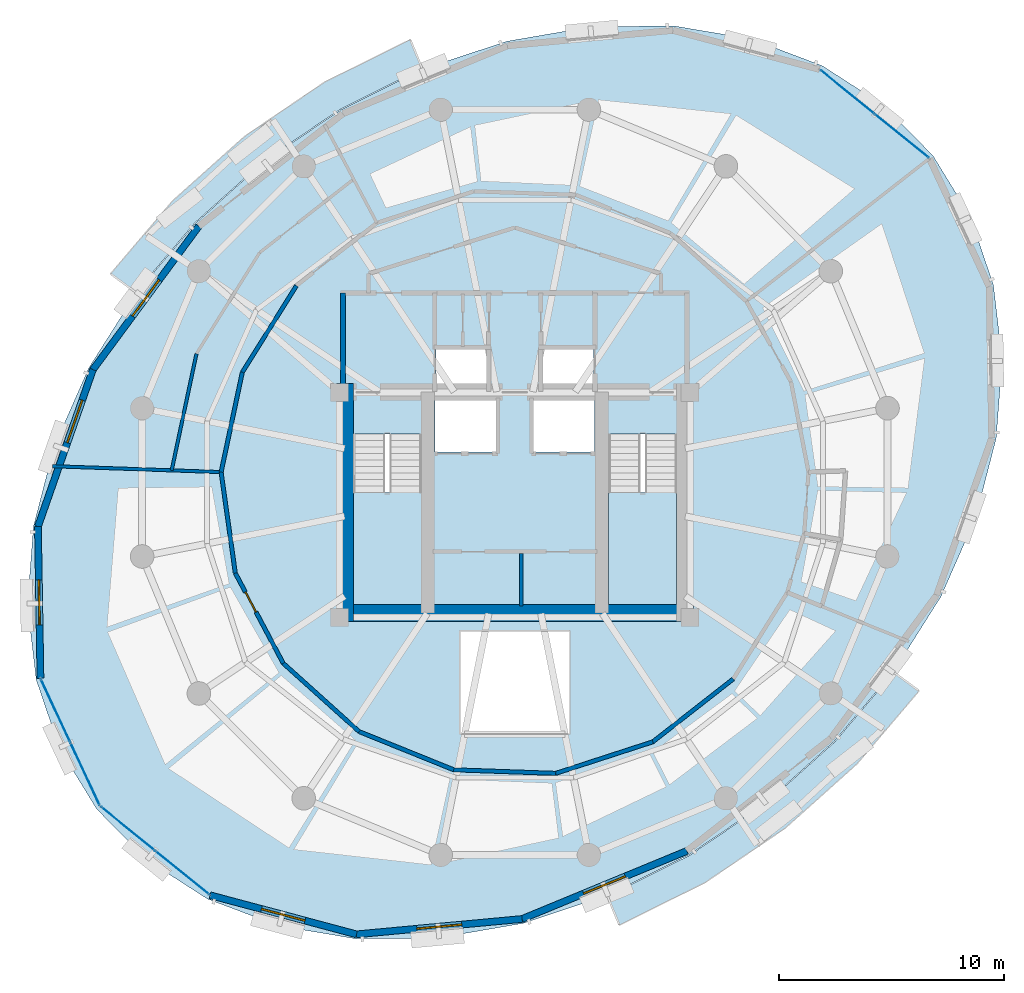
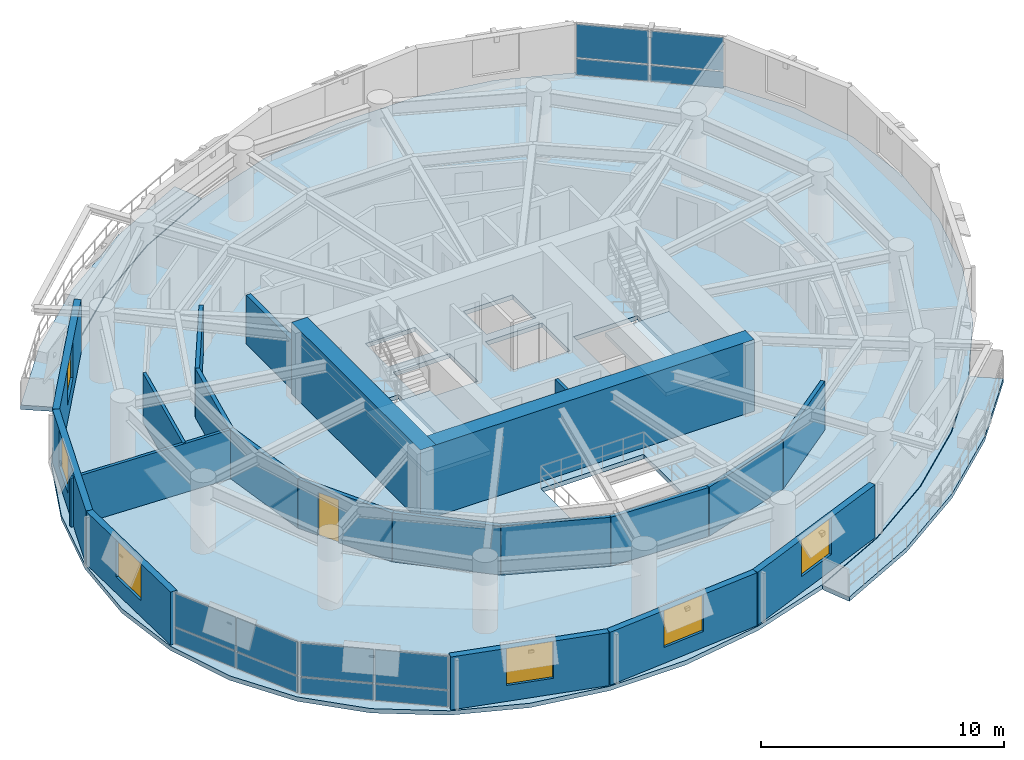
# One storey, part 7 of 12: 21 walls, 12 plates, 6 windows, 5 slabs, 1 door, 7 openings, 5 elements without a shape of their own.
"""IFC4 building model written with IfcOpenShell, lengths in metres."""

from ifc_helpers import new_model, si_unit, direction, frame, frame_2d, origin, origin_2d, place, context, subcontext, project, spatial, polyline, rectangle, outline, extrude, material, layer, layer_set, type_object, element, fill, aggregate, save


model = new_model("IFC4")

# Units and contexts
model_context = context("Model", 3, precision=1e-05, world=origin(), true_north=direction((0.0, 1.0)))
body_context = subcontext(model_context, "Body", "Model", "MODEL_VIEW")
ifc_project = project(units=[si_unit("LENGTHUNIT", "METRE"), si_unit("AREAUNIT", "SQUARE_METRE"), si_unit("VOLUMEUNIT", "CUBIC_METRE"), si_unit("PLANEANGLEUNIT", "RADIAN"), si_unit("MASSUNIT", "GRAM", prefix="KILO"), si_unit("THERMODYNAMICTEMPERATUREUNIT", "KELVIN"), si_unit("POWERUNIT", "WATT")], contexts=[model_context])

# Site, building, storey
site_placement = place(None, origin())
site = spatial("IfcSite", under=ifc_project, at=site_placement, CompositionType="ELEMENT")
building_placement = place(site_placement, origin())
building = spatial("IfcBuilding", under=site, at=building_placement, Name="Ocrelia Relay Tower", CompositionType="ELEMENT")
storey_placement = place(building_placement, frame((0.0, 0.0, 191.60009765625)))
storey = spatial("IfcBuildingStorey", under=building, at=storey_placement, Name="L46", CompositionType="ELEMENT", Elevation=191.60009765625)

# Curtain wall, plates
ifc_material_1 = material(Name="Aluminium and solar-control low-E glass", Category="aluminium")
ifc_layer_1 = layer(ifc_material_1, 0.179931640625, Name="Aluminium and solar-control low-E glass")
ifc_layer_set_1 = layer_set([ifc_layer_1], Name="Aluminium and solar-control low-E glass")
curtain_wall_type = type_object("IfcCurtainWallType", Name="CW-SYS-Z3-CLOU", PredefinedType="NOTDEFINED", material=ifc_layer_set_1)
curtain_wall_1_placement = place(storey_placement, origin())
curtain_wall_1 = element("IfcCurtainWall", 1, at=curtain_wall_1_placement, inside=storey, type_object=curtain_wall_type, Name="L46 Elliptical Tower Curtain Wall Bay 01", PredefinedType="NOTDEFINED")
ifc_material_2 = material(Name="Clear double-glazed low-E glass", Category="glass")
ifc_layer_2 = layer(ifc_material_2, 0.031982421875, Name="Clear double-glazed low-E glass")
ifc_layer_set_2 = layer_set([ifc_layer_2], Name="Clear double-glazed low-E glass")
plate_type = type_object("IfcPlateType", Name="CW-SYS-Z3-CLOU-PNL", PredefinedType="CURTAIN_PANEL", material=ifc_layer_set_2)
plate_1_placement = place(storey_placement, frame((51.20654296875, 41.405517578125, 0.059814453125), z_axis=(0.0, 0.0, 1.0), x_axis=(-0.776935646541, 0.629580019644, 0.0)))
plate_1 = element("IfcPlate", 2, at=plate_1_placement, type_object=plate_type, Name="CW-Z3 panel 1.1", PredefinedType="CURTAIN_PANEL", context=body_context, shape_type="SweptSolid", body=[
    extrude(rectangle(XDim=3.0439453125, YDim=0.031982421875, at=origin_2d()), origin(), (0.0, 0.0, 1.0), 0.81005859375),
])
plate_2_placement = place(storey_placement, frame((51.20654296875, 41.405517578125, 0.929931640625), z_axis=(0.0, 0.0, 1.0), x_axis=(-0.776935646541, 0.629580019644, 0.0)))
plate_2 = element("IfcPlate", 3, at=plate_2_placement, type_object=plate_type, Name="CW-Z3 panel 1.2", PredefinedType="CURTAIN_PANEL", context=body_context, shape_type="SweptSolid", body=[
    extrude(rectangle(XDim=3.0439453125, YDim=0.031982421875, at=origin_2d()), origin(), (0.0, 0.0, 1.0), 1.669921875),
])
plate_3_placement = place(storey_placement, frame((48.791259765625, 43.36279296875, 0.059814453125), z_axis=(0.0, 0.0, 1.0), x_axis=(-0.776935646541, 0.629580019644, 0.0)))
plate_3 = element("IfcPlate", 4, at=plate_3_placement, type_object=plate_type, Name="CW-Z3 panel 2.1", PredefinedType="CURTAIN_PANEL", context=body_context, shape_type="SweptSolid", body=[
    extrude(rectangle(XDim=3.0439453125, YDim=0.031982421875, at=origin_2d()), origin(), (0.0, 0.0, 1.0), 0.81005859375),
])
plate_4_placement = place(storey_placement, frame((48.791259765625, 43.36279296875, 0.929931640625), z_axis=(0.0, 0.0, 1.0), x_axis=(-0.776935646541, 0.629580019644, 0.0)))
plate_4 = element("IfcPlate", 5, at=plate_4_placement, type_object=plate_type, Name="CW-Z3 panel 2.2", PredefinedType="CURTAIN_PANEL", context=body_context, shape_type="SweptSolid", body=[
    extrude(rectangle(XDim=3.0439453125, YDim=0.031982421875, at=origin_2d()), origin(), (0.0, 0.0, 1.0), 1.669921875),
])
aggregate(curtain_wall_1, [plate_1, plate_2, plate_3, plate_4])

curtain_wall_2_placement = place(storey_placement, origin())
curtain_wall_2 = element("IfcCurtainWall", 6, at=curtain_wall_2_placement, inside=storey, type_object=curtain_wall_type, Name="L46 Elliptical Tower Curtain Wall Bay 09", PredefinedType="NOTDEFINED")
plate_5_placement = place(storey_placement, frame((13.574462890625, 15.8486328125, 0.059814453125), z_axis=(0.0, 0.0, 1.0), x_axis=(0.422921190321, -0.906166467476, 0.0)))
plate_5 = element("IfcPlate", 7, at=plate_5_placement, type_object=plate_type, Name="CW-Z3 panel 1.1", PredefinedType="CURTAIN_PANEL", context=body_context, shape_type="SweptSolid", body=[
    extrude(rectangle(XDim=3.0439453125, YDim=0.031982421875, at=origin_2d()), origin(), (0.0, 0.0, 1.0), 0.81005859375),
])
plate_6_placement = place(storey_placement, frame((13.574462890625, 15.8486328125, 0.929931640625), z_axis=(0.0, 0.0, 1.0), x_axis=(0.422921190321, -0.906166467476, 0.0)))
plate_6 = element("IfcPlate", 8, at=plate_6_placement, type_object=plate_type, Name="CW-Z3 panel 1.2", PredefinedType="CURTAIN_PANEL", context=body_context, shape_type="SweptSolid", body=[
    extrude(rectangle(XDim=3.0439453125, YDim=0.031982421875, at=origin_2d()), origin(), (0.0, 0.0, 1.0), 1.669921875),
])
plate_7_placement = place(storey_placement, frame((14.889404296875, 13.031494140625, 0.059814453125), z_axis=(0.0, 0.0, 1.0), x_axis=(0.422921190321, -0.906166467476, 0.0)))
plate_7 = element("IfcPlate", 9, at=plate_7_placement, type_object=plate_type, Name="CW-Z3 panel 2.1", PredefinedType="CURTAIN_PANEL", context=body_context, shape_type="SweptSolid", body=[
    extrude(rectangle(XDim=3.0439453125, YDim=0.031982421875, at=origin_2d()), origin(), (0.0, 0.0, 1.0), 0.81005859375),
])
plate_8_placement = place(storey_placement, frame((14.889404296875, 13.031494140625, 0.929931640625), z_axis=(0.0, 0.0, 1.0), x_axis=(0.422921190321, -0.906166467476, 0.0)))
plate_8 = element("IfcPlate", 10, at=plate_8_placement, type_object=plate_type, Name="CW-Z3 panel 2.2", PredefinedType="CURTAIN_PANEL", context=body_context, shape_type="SweptSolid", body=[
    extrude(rectangle(XDim=3.0439453125, YDim=0.031982421875, at=origin_2d()), origin(), (0.0, 0.0, 1.0), 1.669921875),
])
aggregate(curtain_wall_2, [plate_5, plate_6, plate_7, plate_8])

curtain_wall_3_placement = place(storey_placement, origin())
curtain_wall_3 = element("IfcCurtainWall", 11, at=curtain_wall_3_placement, inside=storey, type_object=curtain_wall_type, Name="L46 Elliptical Tower Curtain Wall Bay 10", PredefinedType="NOTDEFINED")
plate_9_placement = place(storey_placement, frame((16.79345703125, 10.594482421875, 0.059814453125), z_axis=(0.0, 0.0, 1.0), x_axis=(0.776935646541, -0.629580019644, 0.0)))
plate_9 = element("IfcPlate", 12, at=plate_9_placement, type_object=plate_type, Name="CW-Z3 panel 1.1", PredefinedType="CURTAIN_PANEL", context=body_context, shape_type="SweptSolid", body=[
    extrude(rectangle(XDim=3.0439453125, YDim=0.031982421875, at=origin_2d()), origin(), (0.0, 0.0, 1.0), 0.81005859375),
])
plate_10_placement = place(storey_placement, frame((16.79345703125, 10.594482421875, 0.929931640625), z_axis=(0.0, 0.0, 1.0), x_axis=(0.776935646541, -0.629580019644, 0.0)))
plate_10 = element("IfcPlate", 13, at=plate_10_placement, type_object=plate_type, Name="CW-Z3 panel 1.2", PredefinedType="CURTAIN_PANEL", context=body_context, shape_type="SweptSolid", body=[
    extrude(rectangle(XDim=3.0439453125, YDim=0.031982421875, at=origin_2d()), origin(), (0.0, 0.0, 1.0), 1.669921875),
])
plate_11_placement = place(storey_placement, frame((19.208740234375, 8.63720703125, 0.059814453125), z_axis=(0.0, 0.0, 1.0), x_axis=(0.776935646541, -0.629580019644, 0.0)))
plate_11 = element("IfcPlate", 14, at=plate_11_placement, type_object=plate_type, Name="CW-Z3 panel 2.1", PredefinedType="CURTAIN_PANEL", context=body_context, shape_type="SweptSolid", body=[
    extrude(rectangle(XDim=3.0439453125, YDim=0.031982421875, at=origin_2d()), origin(), (0.0, 0.0, 1.0), 0.81005859375),
])
plate_12_placement = place(storey_placement, frame((19.208740234375, 8.63720703125, 0.929931640625), z_axis=(0.0, 0.0, 1.0), x_axis=(0.776935646541, -0.629580019644, 0.0)))
plate_12 = element("IfcPlate", 15, at=plate_12_placement, type_object=plate_type, Name="CW-Z3 panel 2.2", PredefinedType="CURTAIN_PANEL", context=body_context, shape_type="SweptSolid", body=[
    extrude(rectangle(XDim=3.0439453125, YDim=0.031982421875, at=origin_2d()), origin(), (0.0, 0.0, 1.0), 1.669921875),
])
aggregate(curtain_wall_3, [plate_9, plate_10, plate_11, plate_12])

# Slabs
ifc_material_3 = material(Name="Precast concrete C40/50", Category="concrete")
ifc_layer_3 = layer(ifc_material_3, 0.219970703125, Name="Precast concrete C40/50")
ifc_layer_set_3 = layer_set([ifc_layer_3], Name="Precast concrete C40/50")
slab_type_1 = type_object("IfcSlabType", Name="SL-BALC-220", PredefinedType="FLOOR", material=ifc_layer_set_3)
slab_1_placement = place(storey_placement, frame((0.0, 0.0, -0.22021484375)))
element("IfcSlab", 16, at=slab_1_placement, inside=storey, type_object=slab_type_1, Name="L46 Planted Loggia Balcony B1", PredefinedType="FLOOR", context=body_context, shape_type="SweptSolid", body=[
    extrude(outline(polyline([(29.877685546875, 44.400146484375), (28.058837890625, 43.497802734375), (26.239990234375, 42.59521484375), (22.837890625, 40.28662109375), (19.77490234375, 37.544189453125), (18.45947265625, 35.997802734375), (17.143798828125, 34.451171875), (16.021484375, 35.277099609375), (17.3994140625, 36.897216796875), (18.77734375, 38.516845703125), (21.980224609375, 41.384521484375), (25.53759765625, 43.798583984375), (27.442626953125, 44.74365234375), (29.34765625, 45.688720703125), (29.877685546875, 44.400146484375)])), origin(), (0.0, 0.0, 1.0), 0.22021484375),
])
slab_2_placement = place(storey_placement, frame((0.0, 0.0, -0.22021484375)))
element("IfcSlab", 17, at=slab_2_placement, inside=storey, type_object=slab_type_1, Name="L46 Planted Loggia Balcony B2", PredefinedType="FLOOR", context=body_context, shape_type="SweptSolid", body=[
    extrude(outline(polyline([(38.122314453125, 7.599853515625), (39.941162109375, 8.502197265625), (41.760009765625, 9.40478515625), (45.162109375, 11.71337890625), (48.22509765625, 14.455810546875), (49.54052734375, 16.002197265625), (50.856201171875, 17.548828125), (51.978515625, 16.722900390625), (50.6005859375, 15.102783203125), (49.22265625, 13.483154296875), (46.019775390625, 10.615478515625), (42.46240234375, 8.201416015625), (40.557373046875, 7.25634765625), (38.65234375, 6.311279296875), (38.122314453125, 7.599853515625)])), origin(), (0.0, 0.0, 1.0), 0.22021484375),
])
ifc_material_4 = material(Name="Concrete C50/60", Category="concrete")
ifc_layer_4 = layer(ifc_material_4, 0.219970703125, Name="Concrete C50/60")
ifc_layer_set_4 = layer_set([ifc_layer_4], Name="Concrete C50/60")
slab_type_2 = type_object("IfcSlabType", Name="SL-FLR-220", PredefinedType="FLOOR", material=ifc_layer_set_4)
slab_3_placement = place(storey_placement, frame((0.0, 0.0, -0.22021484375)))
element("IfcSlab", 18, at=slab_3_placement, inside=storey, type_object=slab_type_2, Name="L46 Elliptical Tower Floor Slab", PredefinedType="FLOOR", context=body_context, shape_type="SweptSolid", body=[
    extrude(outline(polyline([(52.59716796875, 40.529541015625), (50.37939453125, 42.78564453125), (47.664306640625, 44.531494140625), (44.53369140625, 45.714599609375), (41.083251953125, 46.29833984375), (37.41748046875, 46.265380859375), (33.64794921875, 45.616943359375), (29.88916015625, 44.372314453125), (26.255126953125, 42.5693359375), (22.8564453125, 40.262939453125), (19.79638671875, 37.523193359375), (17.16796875, 34.433349609375), (15.05078125, 31.08740234375), (13.509521484375, 27.586669921875), (12.5908203125, 24.03759765625), (12.32275390625, 20.548583984375), (12.713134765625, 17.224853515625), (13.75048828125, 14.16796875), (15.40283203125, 11.470458984375), (17.62060546875, 9.21435546875), (20.335693359375, 7.468505859375), (23.46630859375, 6.285400390625), (26.916748046875, 5.70166015625), (30.58251953125, 5.734619140625), (34.35205078125, 6.383056640625), (38.11083984375, 7.627685546875), (41.744873046875, 9.4306640625), (45.1435546875, 11.737060546875), (48.20361328125, 14.476806640625), (50.83203125, 17.566650390625), (52.94921875, 20.91259765625), (54.490478515625, 24.413330078125), (55.4091796875, 27.96240234375), (55.67724609375, 31.451416015625), (55.286865234375, 34.775146484375), (54.24951171875, 37.83203125), (52.59716796875, 40.529541015625)]), holes=[polyline([(26.81005859375, 28.14990234375), (26.81005859375, 20.550048828125), (29.85009765625, 20.550048828125), (29.85009765625, 28.14990234375), (26.81005859375, 28.14990234375)]), polyline([(38.159912109375, 28.14990234375), (38.159912109375, 20.550048828125), (41.199951171875, 20.550048828125), (41.199951171875, 28.14990234375), (38.159912109375, 28.14990234375)]), polyline([(30.4599609375, 27.35009765625), (33.159912109375, 27.35009765625), (33.159912109375, 29.64990234375), (30.4599609375, 29.64990234375), (30.4599609375, 27.35009765625)]), polyline([(34.840087890625, 27.35009765625), (37.5400390625, 27.35009765625), (37.5400390625, 29.64990234375), (34.840087890625, 29.64990234375), (34.840087890625, 27.35009765625)]), polyline([(30.5, 30.10009765625), (32.85009765625, 30.10009765625), (32.85009765625, 32.0), (30.5, 32.0), (30.5, 30.10009765625)]), polyline([(35.14990234375, 30.10009765625), (37.5, 30.10009765625), (37.5, 32.0), (35.14990234375, 32.0), (35.14990234375, 30.10009765625)]), polyline([(31.550048828125, 14.800048828125), (36.449951171875, 14.800048828125), (36.449951171875, 19.39990234375), (31.550048828125, 19.39990234375), (31.550048828125, 14.800048828125)])]), origin(), (0.0, 0.0, 1.0), 0.22021484375),
])

# Stair, slab
stair_type = type_object("IfcStairType", Name="ST-DL-1420-R180", PredefinedType="HALF_TURN_STAIR", material=ifc_material_4)
stair_1_placement = place(storey_placement, origin())
stair_1 = element("IfcStair", 19, at=stair_1_placement, inside=storey, type_object=stair_type, Name="L46 West Core Exit Stair ST1", PredefinedType="HALF_TURN_STAIR")
ifc_layer_5 = layer(ifc_material_4, 0.199951171875, Name="Concrete C50/60")
ifc_layer_set_5 = layer_set([ifc_layer_5], Name="Concrete C50/60")
slab_type_3 = type_object("IfcSlabType", Name="SL-LANDING-200", PredefinedType="LANDING", material=ifc_layer_set_5)
slab_4_placement = place(storey_placement, frame((0.0, 0.0, 1.599853515625)))
slab_4 = element("IfcSlab", 20, at=slab_4_placement, type_object=slab_type_3, Name="ST1 landing 1", PredefinedType="LANDING", context=body_context, shape_type="SweptSolid", body=[
    extrude(outline(polyline([(26.81005859375, 25.5400390625), (26.81005859375, 20.550048828125), (29.85009765625, 20.550048828125), (29.85009765625, 25.5400390625), (26.81005859375, 25.5400390625)])), origin(), (0.0, 0.0, 1.0), 0.199951171875),
])
aggregate(stair_1, [slab_4])

stair_2_placement = place(storey_placement, origin())
stair_2 = element("IfcStair", 21, at=stair_2_placement, inside=storey, type_object=stair_type, Name="L46 East Core Exit Stair ST2", PredefinedType="HALF_TURN_STAIR")
slab_5_placement = place(storey_placement, frame((0.0, 0.0, 1.599853515625)))
slab_5 = element("IfcSlab", 22, at=slab_5_placement, type_object=slab_type_3, Name="ST2 landing 1", PredefinedType="LANDING", context=body_context, shape_type="SweptSolid", body=[
    extrude(outline(polyline([(38.159912109375, 25.5400390625), (38.159912109375, 20.550048828125), (41.199951171875, 20.550048828125), (41.199951171875, 25.5400390625), (38.159912109375, 25.5400390625)])), origin(), (0.0, 0.0, 1.0), 0.199951171875),
])
aggregate(stair_2, [slab_5])

# Walls
ifc_material_5 = material(Name="Concrete C60/75", Category="concrete")
ifc_layer_6 = layer(ifc_material_5, 0.75, Name="Concrete C60/75")
ifc_layer_set_6 = layer_set([ifc_layer_6], Name="Concrete C60/75")
wall_type_1 = type_object("IfcWallType", Name="CW-CORE-750", PredefinedType="SHEAR", material=ifc_layer_set_6)
wall_1_placement = place(storey_placement, frame((26.072021484375, 20.18701171875, 0.0), z_axis=(0.0, 0.0, 1.0), x_axis=(1.0, 0.0, 0.0)))
element("IfcWall", 23, at=wall_1_placement, inside=storey, type_object=wall_type_1, Name="L46 Core Shear Wall S", PredefinedType="SHEAR", context=body_context, shape_type="SweptSolid", body=[
    extrude(rectangle(XDim=15.865966796875, YDim=0.75, at=frame_2d((7.93310546875, 0.0))), origin(), (0.0, 0.0, 1.0), 3.599853515625),
])
wall_2_placement = place(storey_placement, frame((26.447021484375, 19.81201171875, 0.0), z_axis=(0.0, 0.0, 1.0), x_axis=(0.0, 1.0, 0.0)))
element("IfcWall", 24, at=wall_2_placement, inside=storey, type_object=wall_type_1, Name="L46 Core Shear Wall W", PredefinedType="SHEAR", context=body_context, shape_type="SweptSolid", body=[
    extrude(rectangle(XDim=10.575927734375, YDim=0.75, at=frame_2d((5.2880859375, 0.0))), origin(), (0.0, 0.0, 1.0), 3.599853515625),
])
ifc_material_6 = material(Name="Gypsum Fireboard Partition EI60", Category="gypsum")
ifc_layer_7 = layer(ifc_material_6, 0.179931640625, Name="Gypsum Fireboard Partition EI60")
ifc_layer_set_7 = layer_set([ifc_layer_7], Name="Gypsum Fireboard Partition EI60")
wall_type_2 = type_object("IfcWallType", Name="W-CORR-EI60-180", PredefinedType="PARTITIONING", material=ifc_layer_set_7)
wall_3_placement = place(storey_placement, frame((24.287109375, 34.74560546875, 0.0), z_axis=(0.0, 0.0, 1.0), x_axis=(-0.529921587304, -0.848046644536, 0.0)))
element("IfcWall", 25, at=wall_3_placement, inside=storey, type_object=wall_type_2, Name="L46 Executive Reading Study Corridor Partition 2", PredefinedType="PARTITIONING", context=body_context, shape_type="SweptSolid", body=[
    extrude(rectangle(XDim=4.539306640625, YDim=0.179931640625, at=frame_2d((2.26953125, 0.0))), origin(), (0.0, 0.0, 1.0), 2.4599609375),
])
for number, where, z_axis, x_axis, name in (
    (26, (21.881591796875, 30.89599609375, 0.0), (0.0, 0.0, 1.0), (-0.207883200318, -0.978153656143, 0.0), "L46 Executive Reading Study Corridor Partition 3"),
    (27, (20.93798828125, 26.4560546875, 0.0), (0.0, 0.0, 1.0), (0.13914687034, -0.990271754861, 0.0), "L46 Quiet Day Study Corridor Partition 1"),
):
    element("IfcWall", number, at=place(storey_placement, frame(where, z_axis=z_axis, x_axis=x_axis)), inside=storey, type_object=wall_type_2, Name=name, PredefinedType="PARTITIONING", context=body_context, shape_type="SweptSolid", body=[
        extrude(rectangle(XDim=4.5390625, YDim=0.179931640625, at=frame_2d((2.26953125, 0.0))), origin(), (0.0, 0.0, 1.0), 2.4599609375),
    ])

# Wall, opening, door
wall_4_placement = place(storey_placement, frame((21.569580078125, 21.961181640625, 0.0), z_axis=(0.0, 0.0, 1.0), x_axis=(0.469490765684, -0.882937382229, 0.0)))
wall_4 = element("IfcWall", 28, at=wall_4_placement, inside=storey, type_object=wall_type_2, Name="L46 Quiet Day Study Corridor Partition 2", PredefinedType="PARTITIONING", context=body_context, shape_type="SweptSolid", body=[
    extrude(rectangle(XDim=4.5390625, YDim=0.179931640625, at=frame_2d((2.26953125, 0.0))), origin(), (0.0, 0.0, 1.0), 2.4599609375),
])
opening_1_placement = place(wall_4_placement, frame((0.959716796875, 0.0, 0.0)))
opening_1 = element("IfcOpeningElement", 29, at=opening_1_placement, cuts=wall_4, Name="Opening D-RM100", PredefinedType="OPENING", context=body_context, shape_type="SweptSolid", body=[
    extrude(rectangle(XDim=1.0, YDim=2.14990234375, at=frame_2d((0.5, 1.074951171875))), frame((0.0, 0.10009765625, 0.0), z_axis=(0.0, -1.0, 0.0), x_axis=(1.0, 0.0, 0.0)), (0.0, 0.0, 1.0), 0.199951171875),
])
ifc_material_7 = material(Name="Acoustic oak veneer fire door", Category="wood")
door_type = type_object("IfcDoorType", Name="DR-ROOM-FD60-1000", OperationType="NOTDEFINED", PredefinedType="DOOR", material=ifc_material_7)
door_placement = place(opening_1_placement, origin())
door = element("IfcDoor", 30, at=door_placement, inside=storey, type_object=door_type, Name="L46 Quiet Day Study Entrance Door", OperationType="SINGLE_SWING_RIGHT", OverallHeight=2.14990234375, OverallWidth=1.0, PredefinedType="DOOR", context=body_context, shape_type="SweptSolid", body=[
    extrude(rectangle(XDim=1.0, YDim=2.14990234375, at=frame_2d((0.5, 1.074951171875))), frame((0.0, 0.02490234375, 0.0), z_axis=(0.0, -1.0, 0.0), x_axis=(1.0, 0.0, 0.0)), (0.0, 0.0, 1.0), 0.050048828125),
])
fill(opening_1, door)

# Walls
for number, where, z_axis, x_axis, name in (
    (31, (23.70068359375, 17.953369140625, 0.0), (0.0, 0.0, 1.0), (0.74314168775, -0.669134091141, 0.0), "L46 Quiet Day Study Corridor Partition 3"),
    (32, (27.073974609375, 14.916015625, 0.0), (0.0, 0.0, 1.0), (0.927184006015, -0.374606218568, 0.0), "L46 Quiet Day Study Corridor Partition 4"),
):
    element("IfcWall", number, at=place(storey_placement, frame(where, z_axis=z_axis, x_axis=x_axis)), inside=storey, type_object=wall_type_2, Name=name, PredefinedType="PARTITIONING", context=body_context, shape_type="SweptSolid", body=[
        extrude(rectangle(XDim=4.539306640625, YDim=0.179931640625, at=frame_2d((2.26953125, 0.0))), origin(), (0.0, 0.0, 1.0), 2.4599609375),
    ])
for number, where, z_axis, x_axis, name in (
    (33, (31.28271484375, 13.215576171875, 0.0), (0.0, 0.0, 1.0), (0.999390569646, -0.034906866137, 0.0), "L46 Quiet Day Study Corridor Partition 5"),
    (34, (35.819091796875, 13.05712890625, 0.0), (0.0, 0.0, 1.0), (0.951044345013, 0.309054451219, 0.0), "L46 Quiet Day Study Corridor Partition 6"),
    (35, (40.135986328125, 14.4599609375, 0.0), (0.0, 0.0, 1.0), (0.788026820044, 0.61564091067, 0.0), "L46 Quiet Day Study Corridor Partition 7"),
):
    element("IfcWall", number, at=place(storey_placement, frame(where, z_axis=z_axis, x_axis=x_axis)), inside=storey, type_object=wall_type_2, Name=name, PredefinedType="PARTITIONING", context=body_context, shape_type="SweptSolid", body=[
        extrude(rectangle(XDim=4.5390625, YDim=0.179931640625, at=frame_2d((2.26953125, 0.0))), origin(), (0.0, 0.0, 1.0), 2.4599609375),
    ])

# Wall, opening, window
ifc_material_8 = material(Name="Precast concrete C40/50 with oxide terracotta", Category="masonry")
ifc_layer_8 = layer(ifc_material_8, 0.300048828125, Name="Precast concrete C40/50 with oxide terracotta")
ifc_layer_set_8 = layer_set([ifc_layer_8], Name="Precast concrete C40/50 with oxide terracotta")
wall_type_3 = type_object("IfcWallType", Name="W-EXT-TERR-300", PredefinedType="SOLIDWALL", material=ifc_layer_set_8)
wall_5_placement = place(storey_placement, frame((19.945068359375, 37.389404296875, 0.0), z_axis=(0.0, 0.0, 1.0), x_axis=(-0.594010832638, -0.804457040934, 0.0)))
wall_5 = element("IfcWall", 36, at=wall_5_placement, inside=storey, type_object=wall_type_3, Name="L46 Oxide Terracotta Facade Wall 06", PredefinedType="SOLIDWALL", context=body_context, shape_type="SweptSolid", body=[
    extrude(rectangle(XDim=7.927001953125, YDim=0.300048828125, at=frame_2d((3.96337890625, 0.0))), origin(), (0.0, 0.0, 1.0), 2.659912109375),
])
opening_2_placement = place(wall_5_placement, frame((2.964111328125, 0.0, 0.800048828125)))
opening_2 = element("IfcOpeningElement", 37, at=opening_2_placement, cuts=wall_5, Name="Opening W-03", PredefinedType="OPENING", context=body_context, shape_type="SweptSolid", body=[
    extrude(rectangle(XDim=2.0, YDim=1.85009765625, at=frame_2d((1.0, 0.925048828125))), frame((0.0, 0.16015625, 0.0), z_axis=(0.0, -1.0, 0.0), x_axis=(1.0, 0.0, 0.0)), (0.0, 0.0, 1.0), 0.320068359375),
])
window_type = type_object("IfcWindowType", Name="WIN-Z3-2000x2200", PartitioningType="DOUBLE_PANEL_VERTICAL", PredefinedType="WINDOW", material=ifc_material_2)
window_1_placement = place(opening_2_placement, origin())
window_1 = element("IfcWindow", 38, at=window_1_placement, inside=storey, type_object=window_type, Name="L46 Facade Module Window 06", OverallHeight=1.85009765625, OverallWidth=2.0, PartitioningType="SINGLE_PANEL", PredefinedType="WINDOW", context=body_context, shape_type="SweptSolid", body=[
    extrude(rectangle(XDim=2.0, YDim=1.85009765625, at=frame_2d((1.0, 0.925048828125))), frame((0.0, 0.030029296875, 0.0), z_axis=(0.0, -1.0, 0.0), x_axis=(1.0, 0.0, 0.0)), (0.0, 0.0, 1.0), 0.06005859375),
])
fill(opening_2, window_1)

wall_6_placement = place(storey_placement, frame((15.236328125, 31.012451171875, 0.0), z_axis=(0.0, 0.0, 1.0), x_axis=(-0.330587092265, -0.943775489419, 0.0)))
wall_6 = element("IfcWall", 39, at=wall_6_placement, inside=storey, type_object=wall_type_3, Name="L46 Oxide Terracotta Facade Wall 07", PredefinedType="SOLIDWALL", context=body_context, shape_type="SweptSolid", body=[
    extrude(rectangle(XDim=7.397705078125, YDim=0.300048828125, at=frame_2d((3.69873046875, 0.0))), origin(), (0.0, 0.0, 1.0), 2.659912109375),
])
opening_3_placement = place(wall_6_placement, frame((1.43896484375, 0.0, 0.800048828125)))
opening_3 = element("IfcOpeningElement", 40, at=opening_3_placement, cuts=wall_6, Name="Opening W-03", PredefinedType="OPENING", context=body_context, shape_type="SweptSolid", body=[
    extrude(rectangle(XDim=2.0, YDim=1.85009765625, at=frame_2d((1.0, 0.925048828125))), frame((0.0, 0.16015625, 0.0), z_axis=(0.0, -1.0, 0.0), x_axis=(1.0, 0.0, 0.0)), (0.0, 0.0, 1.0), 0.320068359375),
])
window_2_placement = place(opening_3_placement, origin())
window_2 = element("IfcWindow", 41, at=window_2_placement, inside=storey, type_object=window_type, Name="L46 Facade Module Window 07", OverallHeight=1.85009765625, OverallWidth=2.0, PartitioningType="SINGLE_PANEL", PredefinedType="WINDOW", context=body_context, shape_type="SweptSolid", body=[
    extrude(rectangle(XDim=2.0, YDim=1.85009765625, at=frame_2d((1.0, 0.925048828125))), frame((0.0, 0.030029296875, 0.0), z_axis=(0.0, -1.0, 0.0), x_axis=(1.0, 0.0, 0.0)), (0.0, 0.0, 1.0), 0.06005859375),
])
fill(opening_3, window_2)

wall_7_placement = place(storey_placement, frame((12.790771484375, 24.03076171875, 0.0), z_axis=(0.0, 0.0, 1.0), x_axis=(0.016686063519, -0.999860777951, 0.0)))
wall_7 = element("IfcWall", 42, at=wall_7_placement, inside=storey, type_object=wall_type_3, Name="L46 Oxide Terracotta Facade Wall 08", PredefinedType="SOLIDWALL", context=body_context, shape_type="SweptSolid", body=[
    extrude(rectangle(XDim=6.7451171875, YDim=0.300048828125, at=frame_2d((3.37255859375, 0.0))), origin(), (0.0, 0.0, 1.0), 2.659912109375),
])
opening_4_placement = place(wall_7_placement, frame((2.373046875, 0.0, 0.800048828125)))
opening_4 = element("IfcOpeningElement", 43, at=opening_4_placement, cuts=wall_7, Name="Opening W-03", PredefinedType="OPENING", context=body_context, shape_type="SweptSolid", body=[
    extrude(rectangle(XDim=2.0, YDim=1.85009765625, at=frame_2d((1.0, 0.925048828125))), frame((0.0, 0.16015625, 0.0), z_axis=(0.0, -1.0, 0.0), x_axis=(1.0, 0.0, 0.0)), (0.0, 0.0, 1.0), 0.320068359375),
])
window_3_placement = place(opening_4_placement, origin())
window_3 = element("IfcWindow", 44, at=window_3_placement, inside=storey, type_object=window_type, Name="L46 Facade Module Window 08", OverallHeight=1.85009765625, OverallWidth=2.0, PartitioningType="SINGLE_PANEL", PredefinedType="WINDOW", context=body_context, shape_type="SweptSolid", body=[
    extrude(rectangle(XDim=2.0, YDim=1.85009765625, at=frame_2d((1.0, 0.925048828125))), frame((0.0, 0.030029296875, 0.0), z_axis=(0.0, -1.0, 0.0), x_axis=(1.0, 0.0, 0.0)), (0.0, 0.0, 1.0), 0.06005859375),
])
fill(opening_4, window_3)

wall_8_placement = place(storey_placement, frame((20.44189453125, 7.637939453125, 0.0), z_axis=(0.0, 0.0, 1.0), x_axis=(0.966123104916, -0.258081665657, 0.0)))
wall_8 = element("IfcWall", 45, at=wall_8_placement, inside=storey, type_object=wall_type_3, Name="L46 Oxide Terracotta Facade Wall 11", PredefinedType="SOLIDWALL", context=body_context, shape_type="SweptSolid", body=[
    extrude(rectangle(XDim=6.744873046875, YDim=0.300048828125, at=frame_2d((3.37255859375, 0.0))), origin(), (0.0, 0.0, 1.0), 2.659912109375),
])
opening_5_placement = place(wall_8_placement, frame((2.373046875, 0.0, 0.800048828125)))
opening_5 = element("IfcOpeningElement", 46, at=opening_5_placement, cuts=wall_8, Name="Opening W-03", PredefinedType="OPENING", context=body_context, shape_type="SweptSolid", body=[
    extrude(rectangle(XDim=2.0, YDim=1.85009765625, at=frame_2d((1.0, 0.925048828125))), frame((0.0, 0.16015625, 0.0), z_axis=(0.0, -1.0, 0.0), x_axis=(1.0, 0.0, 0.0)), (0.0, 0.0, 1.0), 0.320068359375),
])
window_4_placement = place(opening_5_placement, origin())
window_4 = element("IfcWindow", 47, at=window_4_placement, inside=storey, type_object=window_type, Name="L46 Facade Module Window 11", OverallHeight=1.85009765625, OverallWidth=2.0, PartitioningType="SINGLE_PANEL", PredefinedType="WINDOW", context=body_context, shape_type="SweptSolid", body=[
    extrude(rectangle(XDim=2.0, YDim=1.85009765625, at=frame_2d((1.0, 0.925048828125))), frame((0.0, 0.030029296875, 0.0), z_axis=(0.0, -1.0, 0.0), x_axis=(1.0, 0.0, 0.0)), (0.0, 0.0, 1.0), 0.06005859375),
])
fill(opening_5, window_4)

wall_9_placement = place(storey_placement, frame((26.958251953125, 5.897216796875, 0.0), z_axis=(0.0, 0.0, 1.0), x_axis=(0.995718257767, 0.092439986742, 0.0)))
wall_9 = element("IfcWall", 48, at=wall_9_placement, inside=storey, type_object=wall_type_3, Name="L46 Oxide Terracotta Facade Wall 12", PredefinedType="SOLIDWALL", context=body_context, shape_type="SweptSolid", body=[
    extrude(rectangle(XDim=7.397705078125, YDim=0.300048828125, at=frame_2d((3.69873046875, 0.0))), origin(), (0.0, 0.0, 1.0), 2.659912109375),
])
opening_6_placement = place(wall_9_placement, frame((2.698974609375, 0.0, 0.800048828125)))
opening_6 = element("IfcOpeningElement", 49, at=opening_6_placement, cuts=wall_9, Name="Opening W-03", PredefinedType="OPENING", context=body_context, shape_type="SweptSolid", body=[
    extrude(rectangle(XDim=2.0, YDim=1.85009765625, at=frame_2d((1.0, 0.925048828125))), frame((0.0, 0.16015625, 0.0), z_axis=(0.0, -1.0, 0.0), x_axis=(1.0, 0.0, 0.0)), (0.0, 0.0, 1.0), 0.320068359375),
])
window_5_placement = place(opening_6_placement, origin())
window_5 = element("IfcWindow", 50, at=window_5_placement, inside=storey, type_object=window_type, Name="L46 Facade Module Window 12", OverallHeight=1.85009765625, OverallWidth=2.0, PartitioningType="SINGLE_PANEL", PredefinedType="WINDOW", context=body_context, shape_type="SweptSolid", body=[
    extrude(rectangle(XDim=2.0, YDim=1.85009765625, at=frame_2d((1.0, 0.925048828125))), frame((0.0, 0.030029296875, 0.0), z_axis=(0.0, -1.0, 0.0), x_axis=(1.0, 0.0, 0.0)), (0.0, 0.0, 1.0), 0.06005859375),
])
fill(opening_6, window_5)

wall_10_placement = place(storey_placement, frame((34.32421875, 6.5810546875, 0.0), z_axis=(0.0, 0.0, 1.0), x_axis=(0.924266151276, 0.381748715264, 0.0)))
wall_10 = element("IfcWall", 51, at=wall_10_placement, inside=storey, type_object=wall_type_3, Name="L46 Oxide Terracotta Facade Wall 13", PredefinedType="SOLIDWALL", context=body_context, shape_type="SweptSolid", body=[
    extrude(rectangle(XDim=7.927001953125, YDim=0.300048828125, at=frame_2d((3.96337890625, 0.0))), origin(), (0.0, 0.0, 1.0), 2.659912109375),
])
opening_7_placement = place(wall_10_placement, frame((2.964111328125, 0.0, 0.800048828125)))
opening_7 = element("IfcOpeningElement", 52, at=opening_7_placement, cuts=wall_10, Name="Opening W-03", PredefinedType="OPENING", context=body_context, shape_type="SweptSolid", body=[
    extrude(rectangle(XDim=2.0, YDim=1.85009765625, at=frame_2d((1.0, 0.925048828125))), frame((0.0, 0.16015625, 0.0), z_axis=(0.0, -1.0, 0.0), x_axis=(1.0, 0.0, 0.0)), (0.0, 0.0, 1.0), 0.320068359375),
])
window_6_placement = place(opening_7_placement, origin())
window_6 = element("IfcWindow", 53, at=window_6_placement, inside=storey, type_object=window_type, Name="L46 Facade Module Window 13", OverallHeight=1.85009765625, OverallWidth=2.0, PartitioningType="SINGLE_PANEL", PredefinedType="WINDOW", context=body_context, shape_type="SweptSolid", body=[
    extrude(rectangle(XDim=2.0, YDim=1.85009765625, at=frame_2d((1.0, 0.925048828125))), frame((0.0, 0.030029296875, 0.0), z_axis=(0.0, -1.0, 0.0), x_axis=(1.0, 0.0, 0.0)), (0.0, 0.0, 1.0), 0.06005859375),
])
fill(opening_7, window_6)

# Walls
ifc_layer_9 = layer(ifc_material_4, 0.219970703125, Name="Concrete C50/60")
ifc_layer_set_9 = layer_set([ifc_layer_9], Name="Concrete C50/60")
wall_type_4 = type_object("IfcWallType", Name="W-FFL-EI120-220", PredefinedType="SOLIDWALL", material=ifc_layer_set_9)
wall_11_placement = place(storey_placement, frame((26.35009765625, 30.050048828125, 0.0), z_axis=(0.0, 0.0, 1.0), x_axis=(0.0, 1.0, 0.0)))
element("IfcWall", 54, at=wall_11_placement, inside=storey, type_object=wall_type_4, Name="L46 W Fire Service Lift Lobby West Wall", PredefinedType="SOLIDWALL", context=body_context, shape_type="SweptSolid", body=[
    extrude(rectangle(XDim=4.3798828125, YDim=0.219970703125, at=frame_2d((2.18994140625, 0.0))), origin(), (0.0, 0.0, 1.0), 2.4599609375),
])
ifc_material_9 = material(Name="Acoustic Fireboard Partition EI60", Category="gypsum")
ifc_layer_10 = layer(ifc_material_9, 0.139892578125, Name="Acoustic Fireboard Partition EI60")
ifc_layer_set_10 = layer_set([ifc_layer_10], Name="Acoustic Fireboard Partition EI60")
wall_type_5 = type_object("IfcWallType", Name="W-PART-140", PredefinedType="PARTITIONING", material=ifc_layer_set_10)
wall_12_placement = place(storey_placement, frame((20.93798828125, 26.4560546875, 0.0), z_axis=(0.0, 0.0, 1.0), x_axis=(-0.999390219597, 0.034916886657, 0.0)))
element("IfcWall", 55, at=wall_12_placement, inside=storey, type_object=wall_type_5, Name="L46 Executive Reading Study Radial Partition", PredefinedType="PARTITIONING", context=body_context, shape_type="SweptSolid", body=[
    extrude(rectangle(XDim=7.509521484375, YDim=0.139892578125, at=frame_2d((3.7548828125, 0.0))), origin(), (0.0, 0.0, 1.0), 2.4599609375),
])
wall_13_placement = place(storey_placement, frame((19.841796875, 31.72021484375, 0.0), z_axis=(0.0, 0.0, 1.0), x_axis=(-0.207903354219, -0.978149372695, 0.0)))
element("IfcWall", 56, at=wall_13_placement, inside=storey, type_object=wall_type_5, Name="L46 Perimeter Executive Reading Study Mid-Ring Partition 3", PredefinedType="PARTITIONING", context=body_context, shape_type="SweptSolid", body=[
    extrude(rectangle(XDim=5.30322265625, YDim=0.139892578125, at=frame_2d((2.651611328125, 0.0))), origin(), (0.0, 0.0, 1.0), 2.4599609375),
])
ifc_layer_11 = layer(ifc_material_9, 0.14990234375, Name="Acoustic Fireboard Partition EI60")
ifc_layer_set_11 = layer_set([ifc_layer_11], Name="Acoustic Fireboard Partition EI60")
wall_type_6 = type_object("IfcWallType", Name="W-PART-150", PredefinedType="PARTITIONING", material=ifc_layer_set_11)
wall_14_placement = place(storey_placement, frame((34.2900390625, 20.5, 0.0), z_axis=(0.0, 0.0, 1.0), x_axis=(0.0, 1.0, 0.0)))
element("IfcWall", 57, at=wall_14_placement, inside=storey, type_object=wall_type_6, Name="L46 Reclaimed Core Dividing Wall", PredefinedType="PARTITIONING", context=body_context, shape_type="SweptSolid", body=[
    extrude(rectangle(XDim=2.340087890625, YDim=0.14990234375, at=frame_2d((1.169921875, 0.0))), origin(), (0.0, 0.0, 1.0), 2.4599609375),
])

save(model, "model.ifc")
